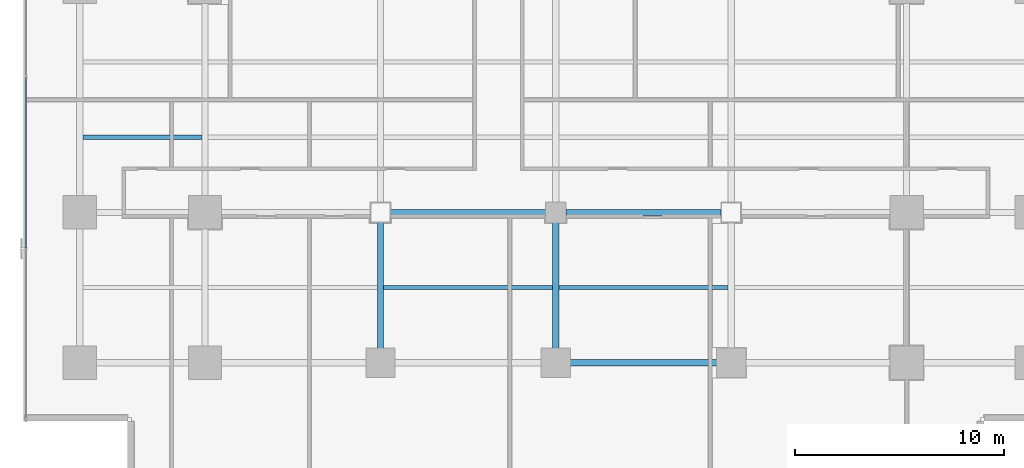
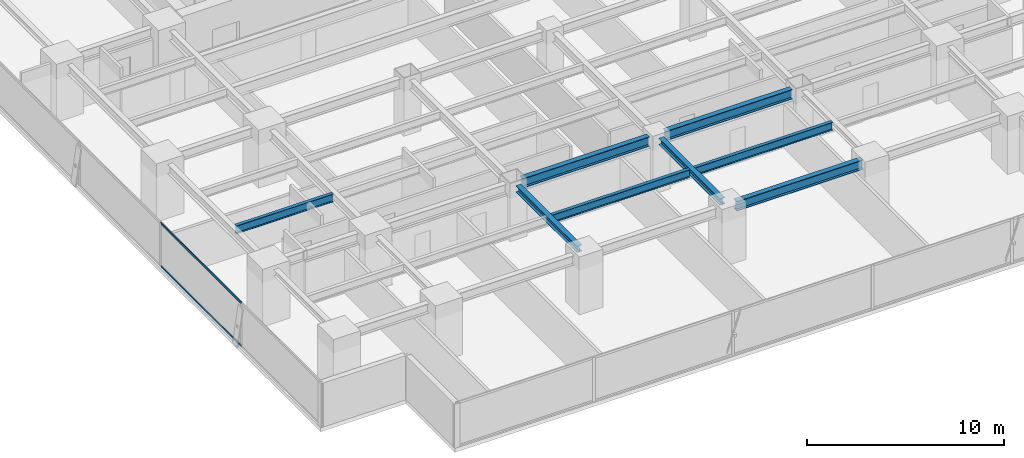
# One storey, part 7 of 37: 8 beams, 2 members, 1 element without a shape of its own.
"""IFC4 building model written with IfcOpenShell, lengths in metres."""

import ifcopenshell
import ifcopenshell.guid

model = None  # the IFC model being written
_history = None  # IfcOwnerHistory: only IFC2X3 demands one
_inside = {}  # id of a spatial element -> (the spatial element, [elements in it])
_under = {}  # id of a project, library or spatial element -> (it, [spatial elements below it])
_declared = {}  # id of a project -> (the project, [libraries it declares])
_typed = {}  # id of a type object -> (the type object, [elements of that type])
_made_of = {}  # id of a material, layer set ... -> (it, [elements and type objects made of it])


def new_model(schema):
    """Start an empty IFC model of exactly this schema.

    Asked for "IFC4X3", IfcOpenShell would pick the latest addendum, in which some entities
    have other attributes; the version numbers below select the first issue.
    IFC2X3 requires an IfcOwnerHistory on every rooted entity: one is made here for all.
    """
    global model, _history
    if schema == "IFC4X3":
        model = ifcopenshell.file(schema_version=(4, 3, 0, 0))
    else:
        model = ifcopenshell.file(schema=schema)
    _inside.clear()
    _under.clear()
    _declared.clear()
    _typed.clear()
    _made_of.clear()
    _history = None
    if model.schema == "IFC2X3":
        org = make("IfcOrganization", Name="unknown")
        user = make(
            "IfcPersonAndOrganization",
            ThePerson=make("IfcPerson", FamilyName="unknown"),
            TheOrganization=org,
        )
        app = make(
            "IfcApplication",
            ApplicationDeveloper=org,
            Version="unknown",
            ApplicationFullName="unknown",
            ApplicationIdentifier="unknown",
        )
        _history = make(
            "IfcOwnerHistory",
            OwningUser=user,
            OwningApplication=app,
            ChangeAction="ADDED",
            CreationDate=0,
        )
    return model


def make(cls, **values):
    """One entity of the class cls with the attributes given. An attribute that is None is left unset."""
    return model.create_entity(
        cls, **{name: value for name, value in values.items() if value is not None}
    )


def rooted(cls, **values):
    """An entity with a GlobalId (a new one), such as an element, a storey or a relation."""
    return make(cls, GlobalId=ifcopenshell.guid.new(), OwnerHistory=_history, **values)


def si_unit(unit_type, name, prefix=None):
    """IfcSIUnit, for example si_unit("LENGTHUNIT", "METRE", prefix="MILLI")."""
    return make("IfcSIUnit", UnitType=unit_type, Prefix=prefix, Name=name)


def assignment(units):
    """IfcUnitAssignment: the units of a project."""
    return None if units is None else make("IfcUnitAssignment", Units=units)


def point(xyz):
    """IfcCartesianPoint."""
    return None if xyz is None else make("IfcCartesianPoint", Coordinates=xyz)


def direction(xyz):
    """IfcDirection."""
    return None if xyz is None else make("IfcDirection", DirectionRatios=xyz)


def frame(location, z_axis=None, x_axis=None):
    """IfcAxis2Placement3D, a coordinate frame: its origin and axes. An axis left out is left unset."""
    return make(
        "IfcAxis2Placement3D",
        Location=point(location),
        Axis=direction(z_axis),
        RefDirection=direction(x_axis),
    )


def frame_2d(location, x_axis=None):
    """IfcAxis2Placement2D, a coordinate frame in the plane: its origin and x axis."""
    return make(
        "IfcAxis2Placement2D", Location=point(location), RefDirection=direction(x_axis)
    )


def origin():
    """The frame at (0, 0, 0) with its axes left unset."""
    return frame((0.0, 0.0, 0.0))


def origin_2d():
    """The frame at (0, 0) in the plane with its x axis left unset."""
    return frame_2d((0.0, 0.0))


def place(relative_to, where):
    """IfcLocalPlacement: puts the frame where relative to a parent placement (None: the world)."""
    return make(
        "IfcLocalPlacement", PlacementRelTo=relative_to, RelativePlacement=where
    )


def context(
    kind, dimensions, precision=None, world=None, true_north=None, identifier=None
):
    """IfcGeometricRepresentationContext, for example the 3D "Model" context."""
    return make(
        "IfcGeometricRepresentationContext",
        ContextIdentifier=identifier,
        ContextType=kind,
        CoordinateSpaceDimension=dimensions,
        Precision=precision,
        WorldCoordinateSystem=world,
        TrueNorth=true_north,
    )


def subcontext(parent, identifier, kind, view, scale=None):
    """IfcGeometricRepresentationSubContext, for example "Body" below "Model"."""
    return make(
        "IfcGeometricRepresentationSubContext",
        ContextIdentifier=identifier,
        ContextType=kind,
        ParentContext=parent,
        TargetScale=scale,
        TargetView=view,
    )


def project(units=None, contexts=None):
    """IfcProject with its units and contexts."""
    return rooted(
        "IfcProject",
        Name="project",
        RepresentationContexts=contexts,
        UnitsInContext=assignment(units),
    )


def spatial(cls, under=None, at=None, **own):
    """A site, building, storey or space (cls), placed at a placement, below another one or the project."""
    s = rooted(cls, ObjectPlacement=at, **own)
    if under is not None:
        _under.setdefault(under.id(), (under, []))[1].append(s)
    return s


def profile(cls, at=None, kind="AREA", **sizes):
    """A parametric profile (cls). Its sizes go by their IFC names, for example OverallWidth=200.0."""
    return make(cls, ProfileType=kind, Position=at, **sizes)


def hollow_rectangle(**sizes):
    """IfcRectangleHollowProfileDef."""
    return profile("IfcRectangleHollowProfileDef", **sizes)


def i_section(**sizes):
    """IfcIShapeProfileDef."""
    return profile("IfcIShapeProfileDef", **sizes)


def extrude(swept, where, along, depth):
    """IfcExtrudedAreaSolid: the profile swept, set in the frame where, extruded along a direction by depth."""
    return make(
        "IfcExtrudedAreaSolid",
        SweptArea=swept,
        Position=where,
        ExtrudedDirection=direction(along),
        Depth=depth,
    )


def shape(context_of_items, identifier, shape_type, items):
    """IfcShapeRepresentation: the items that make up one representation, for example the "Body"."""
    return make(
        "IfcShapeRepresentation",
        ContextOfItems=context_of_items,
        RepresentationIdentifier=identifier,
        RepresentationType=shape_type,
        Items=items,
    )


def source(mapping_origin, context_of_items, identifier, shape_type, items):
    """IfcRepresentationMap: a shape defined once, which mapped items show again and again."""
    return make(
        "IfcRepresentationMap",
        MappingOrigin=mapping_origin,
        MappedRepresentation=shape(context_of_items, identifier, shape_type, items),
    )


def transform(
    local_origin,
    x_axis=None,
    y_axis=None,
    z_axis=None,
    scale=None,
    scale2=None,
    scale3=None,
    uniform=True,
):
    """IfcCartesianTransformationOperator3D, or its non-uniform kind. x_axis, y_axis, z_axis: its Axis1, 2, 3."""
    if uniform:
        return make(
            "IfcCartesianTransformationOperator3D",
            Axis1=direction(x_axis),
            Axis2=direction(y_axis),
            LocalOrigin=point(local_origin),
            Scale=scale,
            Axis3=direction(z_axis),
        )
    return make(
        "IfcCartesianTransformationOperator3DnonUniform",
        Axis1=direction(x_axis),
        Axis2=direction(y_axis),
        LocalOrigin=point(local_origin),
        Scale=scale,
        Axis3=direction(z_axis),
        Scale2=scale2,
        Scale3=scale3,
    )


def mapped(mapping_source, mapping_target):
    """IfcMappedItem: shows the shape of a source again, moved by a transform."""
    return make(
        "IfcMappedItem", MappingSource=mapping_source, MappingTarget=mapping_target
    )


def material(Name=None, Category=None):
    """IfcMaterial."""
    return make("IfcMaterial", Name=Name, Category=Category)


def layer(
    of_material, thickness, ventilated=None, Name=None, Category=None, Priority=None
):
    """IfcMaterialLayer: one layer of a wall or slab, of a material (None: an air gap)."""
    return make(
        "IfcMaterialLayer",
        Material=of_material,
        LayerThickness=thickness,
        IsVentilated=ventilated,
        Name=Name,
        Category=Category,
        Priority=Priority,
    )


def layer_set(layers, Name=None):
    """IfcMaterialLayerSet."""
    return make("IfcMaterialLayerSet", MaterialLayers=layers, LayerSetName=Name)


def material_profile(
    of_material, cross_section, Name=None, Category=None, Priority=None
):
    """IfcMaterialProfile: a cross section and its material."""
    return make(
        "IfcMaterialProfile",
        Name=Name,
        Material=of_material,
        Profile=cross_section,
        Priority=Priority,
        Category=Category,
    )


def profile_set(profiles, Name=None, composite=None):
    """IfcMaterialProfileSet."""
    return make(
        "IfcMaterialProfileSet",
        Name=Name,
        MaterialProfiles=profiles,
        CompositeProfile=composite,
    )


def made_of(thing, what):
    """Note that an element or type object is made of a material, layer set ...; save() writes the relation."""
    if what is not None:
        _made_of.setdefault(what.id(), (what, []))[1].append(thing)
    return thing


def type_object(cls, material=None, **own):
    """A type object (cls), such as IfcWallType, which elements share."""
    return made_of(rooted(cls, **own), material)


def element(
    cls,
    number,
    at=None,
    inside=None,
    cuts=None,
    type_object=None,
    material=None,
    context=None,
    identifier="Body",
    shape_type=None,
    held_by="IfcProductDefinitionShape",
    body=None,
    shapes=None,
    **own,
):
    """One element of the class cls, such as IfcWall. Its Tag is "e" and its number.

    at: its placement. inside: the storey or other place that contains it. cuts: it is an
    opening in that element (IfcRelVoidsElement). A single representation is given by context,
    identifier, shape_type and body (its items); several are given by shapes. held_by: the class
    of the entity that holds the representations. save() writes the other relations.
    """
    e = rooted(cls, Tag="e%d" % number, ObjectPlacement=at, **own)
    if body is not None:
        shapes = [shape(context, identifier, shape_type, body)]
    if shapes is not None:
        e.Representation = make(held_by, Representations=shapes)
    if inside is not None:
        _inside.setdefault(inside.id(), (inside, []))[1].append(e)
    if cuts is not None:
        rooted(
            "IfcRelVoidsElement", RelatingBuildingElement=cuts, RelatedOpeningElement=e
        )
    if type_object is not None:
        _typed.setdefault(type_object.id(), (type_object, []))[1].append(e)
    return made_of(e, material)


def aggregate(whole, parts):
    """IfcRelAggregates: a whole, such as a stair, and the parts it consists of."""
    return rooted("IfcRelAggregates", RelatingObject=whole, RelatedObjects=parts)


def save(model, path):
    """Write the relations noted so far, then the file.

    IfcRelAggregates (storeys below a building ...), IfcRelContainedInSpatialStructure (elements
    in a storey), IfcRelDefinesByType, IfcRelAssociatesMaterial and IfcRelDeclares: one each for
    every whole, place, type object, material and project.
    """
    for whole, parts in _under.values():
        aggregate(whole, parts)
    for where, things in _inside.values():
        rooted(
            "IfcRelContainedInSpatialStructure",
            RelatedElements=things,
            RelatingStructure=where,
        )
    for kind, things in _typed.values():
        rooted("IfcRelDefinesByType", RelatedObjects=things, RelatingType=kind)
    for what, things in _made_of.values():
        rooted("IfcRelAssociatesMaterial", RelatedObjects=things, RelatingMaterial=what)
    for by, libraries in _declared.values():
        rooted("IfcRelDeclares", RelatingContext=by, RelatedDefinitions=libraries)
    model.write(path)


model = new_model("IFC4")

# Units and contexts
model_context = context("Model", 3, precision=1e-05, world=origin(), true_north=direction((0.0, 1.0)))
body_context = subcontext(model_context, "Body", "Model", "MODEL_VIEW")
ifc_project = project(units=[si_unit("LENGTHUNIT", "METRE"), si_unit("AREAUNIT", "SQUARE_METRE"), si_unit("VOLUMEUNIT", "CUBIC_METRE"), si_unit("PLANEANGLEUNIT", "RADIAN"), si_unit("MASSUNIT", "GRAM", prefix="KILO")], contexts=[model_context])

# Site, building, storey
site_placement = place(None, origin())
site = spatial("IfcSite", under=ifc_project, at=site_placement, CompositionType="ELEMENT")
building_placement = place(site_placement, origin())
building = spatial("IfcBuilding", under=site, at=building_placement, Name="Sumidabori Civic Tower", CompositionType="ELEMENT")
storey_placement = place(building_placement, frame((0.0, 0.0, 110.0)))
storey = spatial("IfcBuildingStorey", under=building, at=storey_placement, Name="L28", CompositionType="ELEMENT", Elevation=110.0)

# Beams
ifc_material_1 = material(Name="Steel SN490", Category="steel")
ifc_material_profile_1 = material_profile(ifc_material_1, i_section(OverallWidth=0.300048828125, OverallDepth=0.60009765625, WebThickness=0.015380859375, FlangeThickness=0.030029296875, at=origin_2d()), Name="HE 600 B")
ifc_profile_set_1 = profile_set([ifc_material_profile_1], Name="Steel SN490")
beam_type_1 = type_object("IfcBeamType", Name="BM-GIRD-600", PredefinedType="BEAM", material=ifc_profile_set_1)
shared_shape_1 = source(origin(), body_context, "Body", "SweptSolid", [
    extrude(i_section(OverallWidth=0.300048828125, OverallDepth=0.60009765625, WebThickness=0.015380859375, FlangeThickness=0.030029296875, at=origin_2d()), origin(), (0.0, 0.0, 1.0), 7.43994140625),
])
for number, where, z_axis, x_axis, name in (
    (1, (0.47998046875, -18.0, 3.06005859375), (1.0, 0.0, 0.0), (0.0, 1.0, 0.0), "Primary Girder L28 GX-04"),
    (2, (-7.919921875, -10.800048828125, 3.06005859375), (1.0, 0.0, 0.0), (0.0, 1.0, 0.0), "Primary Girder L28 GX-09"),
    (3, (0.47998046875, -10.800048828125, 3.06005859375), (1.0, 0.0, 0.0), (0.0, 1.0, 0.0), "Primary Girder L28 GX-10"),
):
    element("IfcBeam", number, at=place(storey_placement, frame(where, z_axis=z_axis, x_axis=x_axis)), inside=storey, type_object=beam_type_1, Name=name, PredefinedType="BEAM", context=body_context, shape_type="MappedRepresentation", body=[
        mapped(shared_shape_1, transform((0.0, 0.0, 0.0), x_axis=(1.0, 0.0, 0.0), y_axis=(0.0, 1.0, 0.0), z_axis=(0.0, 0.0, 1.0), scale=1.0)),
    ])
ifc_material_profile_2 = material_profile(ifc_material_1, i_section(OverallWidth=0.300048828125, OverallDepth=0.39990234375, WebThickness=0.013427734375, FlangeThickness=0.02392578125, at=origin_2d()), Name="HE 400 B")
ifc_profile_set_2 = profile_set([ifc_material_profile_2], Name="Steel SN490")
beam_type_2 = type_object("IfcBeamType", Name="BM-GIRD-400", PredefinedType="BEAM", material=ifc_profile_set_2)
shared_shape_2 = source(origin(), body_context, "Body", "SweptSolid", [
    extrude(i_section(OverallWidth=0.300048828125, OverallDepth=0.39990234375, WebThickness=0.013427734375, FlangeThickness=0.02392578125, at=origin_2d()), origin(), (0.0, 0.0, 1.0), 6.239990234375),
])
for number, where, z_axis, x_axis, name in (
    (4, (-8.39990234375, -17.52001953125, 3.159912109375), (0.0, 1.0, 0.0), (-1.0, 0.0, 0.0), "Primary Girder L28 GY-29"),
    (5, (0.0, -17.52001953125, 3.159912109375), (0.0, 1.0, 0.0), (-1.0, 0.0, 0.0), "Primary Girder L28 GY-31"),
):
    element("IfcBeam", number, at=place(storey_placement, frame(where, z_axis=z_axis, x_axis=x_axis)), inside=storey, type_object=beam_type_2, Name=name, PredefinedType="BEAM", context=body_context, shape_type="MappedRepresentation", body=[
        mapped(shared_shape_2, transform((0.0, 0.0, 0.0), x_axis=(1.0, 0.0, 0.0), y_axis=(0.0, 1.0, 0.0), z_axis=(0.0, 0.0, 1.0), scale=1.0)),
    ])
ifc_material_profile_3 = material_profile(ifc_material_1, i_section(OverallWidth=0.199951171875, OverallDepth=0.5, WebThickness=0.01025390625, FlangeThickness=0.01611328125, at=origin_2d()), Name="IPE 500")
ifc_profile_set_3 = profile_set([ifc_material_profile_3], Name="Steel SN490")
beam_type_3 = type_object("IfcBeamType", Name="BM-JST-500", PredefinedType="JOIST", material=ifc_profile_set_3)
shared_shape_3 = source(origin(), body_context, "Body", "SweptSolid", [
    extrude(i_section(OverallWidth=0.199951171875, OverallDepth=0.5, WebThickness=0.01025390625, FlangeThickness=0.01611328125, at=origin_2d()), origin(), (0.0, 0.0, 1.0), 5.699951171875),
])
beam_placement = place(storey_placement, frame((-22.64990234375, -7.199951171875, 3.110107421875), z_axis=(1.0, 0.0, 0.0), x_axis=(0.0, 1.0, 0.0)))
element("IfcBeam", 6, at=beam_placement, inside=storey, type_object=beam_type_3, Name="Outer Bay Floor Joist L28 JSTO-43", PredefinedType="JOIST", context=body_context, shape_type="MappedRepresentation", body=[
    mapped(shared_shape_3, transform((0.0, 0.0, 0.0), x_axis=(1.0, 0.0, 0.0), y_axis=(0.0, 1.0, 0.0), z_axis=(0.0, 0.0, 1.0), scale=1.0)),
])
shared_shape_4 = source(origin(), body_context, "Body", "SweptSolid", [
    extrude(i_section(OverallWidth=0.199951171875, OverallDepth=0.5, WebThickness=0.01025390625, FlangeThickness=0.01611328125, at=origin_2d()), origin(), (0.0, 0.0, 1.0), 8.10009765625),
])
for number, where, z_axis, x_axis, name in (
    (7, (-8.25, -14.39990234375, 3.110107421875), (1.0, 0.0, 0.0), (0.0, 1.0, 0.0), "South Bay Floor Joist L28 JSTS-56"),
    (8, (0.14990234375, -14.39990234375, 3.110107421875), (1.0, 0.0, 0.0), (0.0, 1.0, 0.0), "South Bay Floor Joist L28 JSTS-57"),
):
    element("IfcBeam", number, at=place(storey_placement, frame(where, z_axis=z_axis, x_axis=x_axis)), inside=storey, type_object=beam_type_3, Name=name, PredefinedType="JOIST", context=body_context, shape_type="MappedRepresentation", body=[
        mapped(shared_shape_4, transform((0.0, 0.0, 0.0), x_axis=(1.0, 0.0, 0.0), y_axis=(0.0, 1.0, 0.0), z_axis=(0.0, 0.0, 1.0), scale=1.0)),
    ])

# Curtain wall, members
ifc_material_2 = material(Name="Anodised Bronze Aluminium AW-6063-T6", Category="aluminium")
ifc_layer = layer(ifc_material_2, 0.179931640625, Name="Anodised Bronze Aluminium AW-6063-T6")
ifc_layer_set = layer_set([ifc_layer], Name="Anodised Bronze Aluminium AW-6063-T6")
curtain_wall_type = type_object("IfcCurtainWallType", Name="CW-SYS-3", PredefinedType="NOTDEFINED", material=ifc_layer_set)
curtain_wall_placement = place(storey_placement, origin())
curtain_wall = element("IfcCurtainWall", 9, at=curtain_wall_placement, inside=storey, type_object=curtain_wall_type, Name="Curtain Wall CW:L28:R10", PredefinedType="NOTDEFINED")
ifc_material_profile_4 = material_profile(ifc_material_2, hollow_rectangle(XDim=0.06005859375, YDim=0.1298828125, WallThickness=0.0048828125, at=origin_2d()), Name="ALU TRANSOM 130x60")
ifc_profile_set_4 = profile_set([ifc_material_profile_4], Name="Anodised Bronze Aluminium AW-6063-T6")
member_type = type_object("IfcMemberType", Name="CW-TRN-130", PredefinedType="USERDEFINED", material=ifc_profile_set_4)
shared_shape_5 = source(origin(), body_context, "Body", "SweptSolid", [
    extrude(hollow_rectangle(XDim=0.06005859375, YDim=0.1298828125, WallThickness=0.0048828125, at=origin_2d()), origin(), (0.0, 0.0, 1.0), 8.1630859375),
])
member_1_placement = place(storey_placement, frame((-25.3798828125, -4.346435546875, 0.030029296875), z_axis=(0.0, -1.0, 0.0), x_axis=(1.0, 0.0, 0.0)))
member_1 = element("IfcMember", 10, at=member_1_placement, type_object=member_type, Name="CW-3 transom 4.1", ObjectType="TRANSOM", PredefinedType="USERDEFINED", context=body_context, shape_type="MappedRepresentation", body=[
    mapped(shared_shape_5, transform((0.0, 0.0, 0.0), x_axis=(1.0, 0.0, 0.0), y_axis=(0.0, 1.0, 0.0), z_axis=(0.0, 0.0, 1.0), scale=1.0)),
])
member_2_placement = place(storey_placement, frame((-25.3798828125, -4.346435546875, 2.7099609375), z_axis=(0.0, -1.0, 0.0), x_axis=(1.0, 0.0, 0.0)))
member_2 = element("IfcMember", 11, at=member_2_placement, type_object=member_type, Name="CW-3 transom 4.2", ObjectType="TRANSOM", PredefinedType="USERDEFINED", context=body_context, shape_type="MappedRepresentation", body=[
    mapped(shared_shape_5, transform((0.0, 0.0, 0.0), x_axis=(1.0, 0.0, 0.0), y_axis=(0.0, 1.0, 0.0), z_axis=(0.0, 0.0, 1.0), scale=1.0)),
])
aggregate(curtain_wall, [member_1, member_2])

save(model, "model.ifc")
